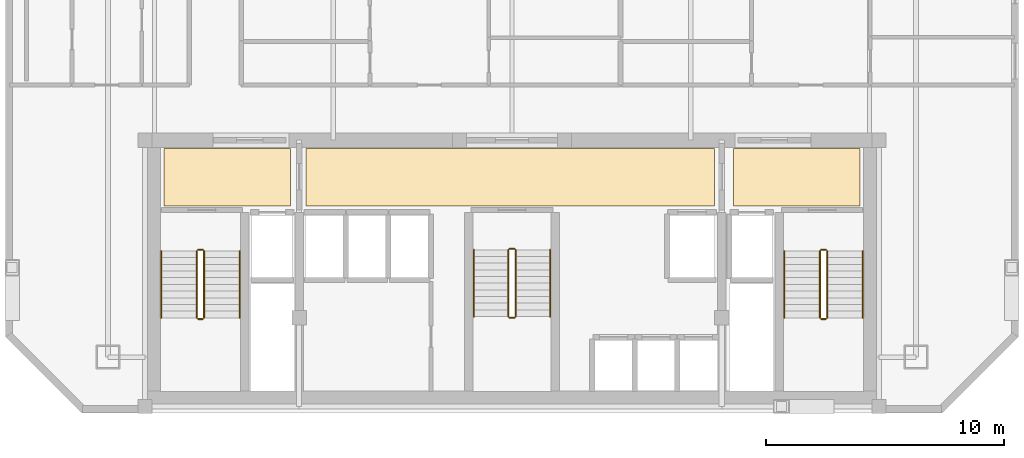
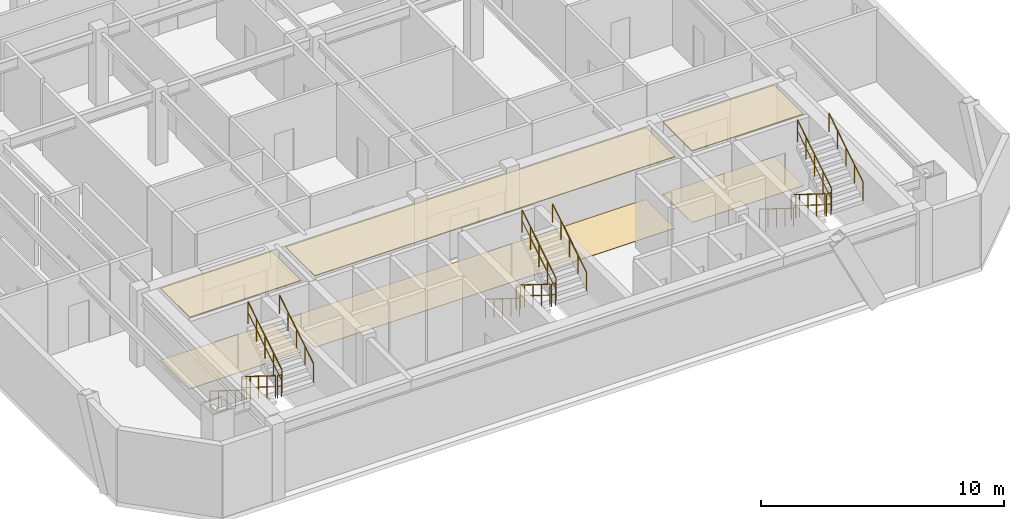
# One storey, part 7 of 7: 18 railings, 6 coverings.
"""IFC4 building model written with IfcOpenShell, lengths in metres."""

from ifc_helpers import new_model, si_unit, direction, frame, origin, origin_2d, place, context, subcontext, project, spatial, polyline, circle, outline, extrude, material, layer, layer_set, type_object, element, save


model = new_model("IFC4")

# Units and contexts
model_context = context("Model", 3, precision=1e-05, world=origin(), true_north=direction((0.0, 1.0)))
body_context = subcontext(model_context, "Body", "Model", "MODEL_VIEW")
ifc_project = project(units=[si_unit("LENGTHUNIT", "METRE"), si_unit("AREAUNIT", "SQUARE_METRE"), si_unit("VOLUMEUNIT", "CUBIC_METRE"), si_unit("PLANEANGLEUNIT", "RADIAN"), si_unit("MASSUNIT", "GRAM", prefix="KILO")], contexts=[model_context])

# Site, building, storey
site_placement = place(None, origin())
site = spatial("IfcSite", under=ifc_project, at=site_placement, CompositionType="ELEMENT")
building_placement = place(site_placement, origin())
building = spatial("IfcBuilding", under=site, at=building_placement, Name="Ventersveld Concourse Tower", CompositionType="ELEMENT")
storey_placement = place(building_placement, frame((0.0, 0.0, 223.39990234375)))
storey = spatial("IfcBuildingStorey", under=building, at=storey_placement, Name="L55", CompositionType="ELEMENT", Elevation=223.39990234375)

# Coverings
ifc_material_1 = material(Name="Mineral-fibre acoustic ceiling tile", Category="gypsum")
ifc_layer_1 = layer(ifc_material_1, 0.0400390625)
ifc_layer_set_1 = layer_set([ifc_layer_1], Name="Mineral-fibre acoustic ceiling tile")
covering_type_1 = type_object("IfcCoveringType", Name="COV-CEIL-ACOUSTIC", PredefinedType="CEILING", material=ifc_layer_set_1)
covering_1_placement = place(storey_placement, frame((0.0, 0.0, 3.590087890625)))
element("IfcCovering", 1, at=covering_1_placement, inside=storey, type_object=covering_type_1, Name="L55 North Lift Lobby Acoustic Ceiling", PredefinedType="CEILING", context=body_context, shape_type="SweptSolid", body=[
    extrude(outline(polyline([(20.10009765625, 8.699951171875), (37.25, 8.699951171875), (37.25, 11.10009765625), (20.10009765625, 11.10009765625), (20.10009765625, 8.699951171875)])), origin(), (0.0, 0.0, 1.0), 0.0400390625),
])
covering_2_placement = place(storey_placement, frame((0.0, 0.0, 3.590087890625)))
element("IfcCovering", 2, at=covering_2_placement, inside=storey, type_object=covering_type_1, Name="L55 West Firefighting Lobby Acoustic Ceiling", PredefinedType="CEILING", context=body_context, shape_type="SweptSolid", body=[
    extrude(outline(polyline([(14.14990234375, 8.699951171875), (19.449951171875, 8.699951171875), (19.449951171875, 11.10009765625), (14.14990234375, 11.10009765625), (14.14990234375, 8.699951171875)])), origin(), (0.0, 0.0, 1.0), 0.0400390625),
])
covering_3_placement = place(storey_placement, frame((0.0, 0.0, 3.590087890625)))
element("IfcCovering", 3, at=covering_3_placement, inside=storey, type_object=covering_type_1, Name="L55 East Firefighting Lobby Acoustic Ceiling", PredefinedType="CEILING", context=body_context, shape_type="SweptSolid", body=[
    extrude(outline(polyline([(38.050048828125, 8.699951171875), (43.35009765625, 8.699951171875), (43.35009765625, 11.10009765625), (38.050048828125, 11.10009765625), (38.050048828125, 8.699951171875)])), origin(), (0.0, 0.0, 1.0), 0.0400390625),
])
ifc_material_2 = material(Name="Polished Highveld granite terrazzo", Category="masonry")
ifc_layer_2 = layer(ifc_material_2, 0.02001953125)
ifc_layer_set_2 = layer_set([ifc_layer_2], Name="Polished Highveld granite terrazzo")
covering_type_2 = type_object("IfcCoveringType", Name="COV-FLOOR-TERRAZZO", PredefinedType="FLOORING", material=ifc_layer_set_2)
covering_4_placement = place(storey_placement, origin())
element("IfcCovering", 4, at=covering_4_placement, inside=storey, type_object=covering_type_2, Name="L55 North Lift Lobby Terrazzo Flooring", PredefinedType="FLOORING", context=body_context, shape_type="SweptSolid", body=[
    extrude(outline(polyline([(20.10009765625, 8.699951171875), (37.25, 8.699951171875), (37.25, 11.10009765625), (20.10009765625, 11.10009765625), (20.10009765625, 8.699951171875)])), origin(), (0.0, 0.0, 1.0), 0.02001953125),
])
covering_5_placement = place(storey_placement, origin())
element("IfcCovering", 5, at=covering_5_placement, inside=storey, type_object=covering_type_2, Name="L55 West Firefighting Lobby Terrazzo Flooring", PredefinedType="FLOORING", context=body_context, shape_type="SweptSolid", body=[
    extrude(outline(polyline([(14.14990234375, 8.699951171875), (19.449951171875, 8.699951171875), (19.449951171875, 11.10009765625), (14.14990234375, 11.10009765625), (14.14990234375, 8.699951171875)])), origin(), (0.0, 0.0, 1.0), 0.02001953125),
])
covering_6_placement = place(storey_placement, origin())
element("IfcCovering", 6, at=covering_6_placement, inside=storey, type_object=covering_type_2, Name="L55 East Firefighting Lobby Terrazzo Flooring", PredefinedType="FLOORING", context=body_context, shape_type="SweptSolid", body=[
    extrude(outline(polyline([(38.050048828125, 8.699951171875), (43.35009765625, 8.699951171875), (43.35009765625, 11.10009765625), (38.050048828125, 11.10009765625), (38.050048828125, 8.699951171875)])), origin(), (0.0, 0.0, 1.0), 0.02001953125),
])

# Railings
ifc_material_3 = material(Name="Brushed stainless steel 316", Category="steel")
railing_type_1 = type_object("IfcRailingType", Name="GD-BAL-115", PredefinedType="GUARDRAIL", material=ifc_material_3)
railing_1_placement = place(storey_placement, frame((15.530029296875, 6.800048828125, 0.175048828125)))
element("IfcRailing", 7, at=railing_1_placement, inside=storey, type_object=railing_type_1, Name="L55 ST-01 stair guard 1", PredefinedType="GUARDRAIL", context=body_context, shape_type="SweptSolid", body=[
    extrude(circle(Radius=0.02392578125, at=origin_2d()), frame((0.0, 0.0, 1.1259765625), z_axis=(0.0, -0.848002457836, 0.529992293815), x_axis=(1.0, 0.0, 0.0)), (0.0, 0.0, 1.0), 3.302001953125),
    extrude(circle(Radius=0.01611328125, at=origin_2d()), frame((0.0, 0.0, 0.574951171875), z_axis=(0.0, -0.848002457836, 0.529992293815), x_axis=(1.0, 0.0, 0.0)), (0.0, 0.0, 1.0), 3.302001953125),
    extrude(circle(Radius=0.02099609375, at=origin_2d()), origin(), (0.0, 0.0, 1.0), 1.101806640625),
    extrude(circle(Radius=0.02099609375, at=origin_2d()), frame((0.0, -0.699951171875, 0.4375)), (0.0, 0.0, 1.0), 1.101806640625),
    extrude(circle(Radius=0.02099609375, at=origin_2d()), frame((0.0, -1.39990234375, 0.875)), (0.0, 0.0, 1.0), 1.101806640625),
    extrude(circle(Radius=0.02099609375, at=origin_2d()), frame((0.0, -2.10009765625, 1.3125)), (0.0, 0.0, 1.0), 1.101806640625),
    extrude(circle(Radius=0.02099609375, at=origin_2d()), frame((0.0, -2.800048828125, 1.75)), (0.0, 0.0, 1.0), 1.101806640625),
])
railing_2_placement = place(storey_placement, frame((15.580078125, 3.949951171875, 1.925048828125)))
element("IfcRailing", 8, at=railing_2_placement, inside=storey, type_object=railing_type_1, Name="L55 ST-01 stair guard 2", PredefinedType="GUARDRAIL", context=body_context, shape_type="SweptSolid", body=[
    extrude(circle(Radius=0.02392578125, at=origin_2d()), frame((0.0, 0.0, 1.1259765625), z_axis=(1.0, 0.0, 0.0), x_axis=(0.0, 1.0, 0.0)), (0.0, 0.0, 1.0), 0.199951171875),
    extrude(circle(Radius=0.01611328125, at=origin_2d()), frame((0.0, 0.0, 0.574951171875), z_axis=(1.0, 0.0, 0.0), x_axis=(0.0, 1.0, 0.0)), (0.0, 0.0, 1.0), 0.199951171875),
    extrude(circle(Radius=0.02099609375, at=origin_2d()), origin(), (0.0, 0.0, 1.0), 1.101806640625),
    extrude(circle(Radius=0.02099609375, at=origin_2d()), frame((0.199951171875, 0.0, 0.0)), (0.0, 0.0, 1.0), 1.101806640625),
])
railing_3_placement = place(storey_placement, frame((15.830078125, 4.0, 2.10009765625)))
element("IfcRailing", 9, at=railing_3_placement, inside=storey, type_object=railing_type_1, Name="L55 ST-01 stair guard 3", PredefinedType="GUARDRAIL", context=body_context, shape_type="SweptSolid", body=[
    extrude(circle(Radius=0.02392578125, at=origin_2d()), frame((0.0, 0.0, 1.1259765625), z_axis=(0.0, 0.848002457836, 0.529992293815), x_axis=(-1.0, 0.0, 0.0)), (0.0, 0.0, 1.0), 3.302001953125),
    extrude(circle(Radius=0.01611328125, at=origin_2d()), frame((0.0, 0.0, 0.574951171875), z_axis=(0.0, 0.848002457836, 0.529992293815), x_axis=(-1.0, 0.0, 0.0)), (0.0, 0.0, 1.0), 3.302001953125),
    extrude(circle(Radius=0.02099609375, at=origin_2d()), origin(), (0.0, 0.0, 1.0), 1.101806640625),
    extrude(circle(Radius=0.02099609375, at=origin_2d()), frame((0.0, 0.699951171875, 0.4375)), (0.0, 0.0, 1.0), 1.101806640625),
    extrude(circle(Radius=0.02099609375, at=origin_2d()), frame((0.0, 1.39990234375, 0.875)), (0.0, 0.0, 1.0), 1.101806640625),
    extrude(circle(Radius=0.02099609375, at=origin_2d()), frame((0.0, 2.10009765625, 1.3125)), (0.0, 0.0, 1.0), 1.101806640625),
    extrude(circle(Radius=0.02099609375, at=origin_2d()), frame((0.0, 2.800048828125, 1.75)), (0.0, 0.0, 1.0), 1.101806640625),
])
railing_4_placement = place(storey_placement, frame((15.580078125, 6.85009765625, 0.0)))
element("IfcRailing", 10, at=railing_4_placement, inside=storey, type_object=railing_type_1, Name="L55 ST-01 stair guard 4", PredefinedType="GUARDRAIL", context=body_context, shape_type="SweptSolid", body=[
    extrude(circle(Radius=0.02392578125, at=origin_2d()), frame((0.0, 0.0, 1.1259765625), z_axis=(1.0, 0.0, 0.0), x_axis=(0.0, 1.0, 0.0)), (0.0, 0.0, 1.0), 0.199951171875),
    extrude(circle(Radius=0.01611328125, at=origin_2d()), frame((0.0, 0.0, 0.574951171875), z_axis=(1.0, 0.0, 0.0), x_axis=(0.0, 1.0, 0.0)), (0.0, 0.0, 1.0), 0.199951171875),
    extrude(circle(Radius=0.02099609375, at=origin_2d()), origin(), (0.0, 0.0, 1.0), 1.101806640625),
    extrude(circle(Radius=0.02099609375, at=origin_2d()), frame((0.199951171875, 0.0, 0.0)), (0.0, 0.0, 1.0), 1.101806640625),
])
railing_5_placement = place(storey_placement, frame((41.669921875, 6.800048828125, 0.175048828125)))
element("IfcRailing", 11, at=railing_5_placement, inside=storey, type_object=railing_type_1, Name="L55 ST-02 stair guard 1", PredefinedType="GUARDRAIL", context=body_context, shape_type="SweptSolid", body=[
    extrude(circle(Radius=0.02392578125, at=origin_2d()), frame((0.0, 0.0, 1.1259765625), z_axis=(0.0, -0.848002457836, 0.529992293815), x_axis=(1.0, 0.0, 0.0)), (0.0, 0.0, 1.0), 3.302001953125),
    extrude(circle(Radius=0.01611328125, at=origin_2d()), frame((0.0, 0.0, 0.574951171875), z_axis=(0.0, -0.848002457836, 0.529992293815), x_axis=(1.0, 0.0, 0.0)), (0.0, 0.0, 1.0), 3.302001953125),
    extrude(circle(Radius=0.02099609375, at=origin_2d()), origin(), (0.0, 0.0, 1.0), 1.101806640625),
    extrude(circle(Radius=0.02099609375, at=origin_2d()), frame((0.0, -0.699951171875, 0.4375)), (0.0, 0.0, 1.0), 1.101806640625),
    extrude(circle(Radius=0.02099609375, at=origin_2d()), frame((0.0, -1.39990234375, 0.875)), (0.0, 0.0, 1.0), 1.101806640625),
    extrude(circle(Radius=0.02099609375, at=origin_2d()), frame((0.0, -2.10009765625, 1.3125)), (0.0, 0.0, 1.0), 1.101806640625),
    extrude(circle(Radius=0.02099609375, at=origin_2d()), frame((0.0, -2.800048828125, 1.75)), (0.0, 0.0, 1.0), 1.101806640625),
])
railing_6_placement = place(storey_placement, frame((41.719970703125, 3.949951171875, 1.925048828125)))
element("IfcRailing", 12, at=railing_6_placement, inside=storey, type_object=railing_type_1, Name="L55 ST-02 stair guard 2", PredefinedType="GUARDRAIL", context=body_context, shape_type="SweptSolid", body=[
    extrude(circle(Radius=0.02392578125, at=origin_2d()), frame((0.0, 0.0, 1.1259765625), z_axis=(1.0, 0.0, 0.0), x_axis=(0.0, 1.0, 0.0)), (0.0, 0.0, 1.0), 0.199951171875),
    extrude(circle(Radius=0.01611328125, at=origin_2d()), frame((0.0, 0.0, 0.574951171875), z_axis=(1.0, 0.0, 0.0), x_axis=(0.0, 1.0, 0.0)), (0.0, 0.0, 1.0), 0.199951171875),
    extrude(circle(Radius=0.02099609375, at=origin_2d()), origin(), (0.0, 0.0, 1.0), 1.101806640625),
    extrude(circle(Radius=0.02099609375, at=origin_2d()), frame((0.199951171875, 0.0, 0.0)), (0.0, 0.0, 1.0), 1.101806640625),
])
railing_7_placement = place(storey_placement, frame((41.969970703125, 4.0, 2.10009765625)))
element("IfcRailing", 13, at=railing_7_placement, inside=storey, type_object=railing_type_1, Name="L55 ST-02 stair guard 3", PredefinedType="GUARDRAIL", context=body_context, shape_type="SweptSolid", body=[
    extrude(circle(Radius=0.02392578125, at=origin_2d()), frame((0.0, 0.0, 1.1259765625), z_axis=(0.0, 0.848002457836, 0.529992293815), x_axis=(-1.0, 0.0, 0.0)), (0.0, 0.0, 1.0), 3.302001953125),
    extrude(circle(Radius=0.01611328125, at=origin_2d()), frame((0.0, 0.0, 0.574951171875), z_axis=(0.0, 0.848002457836, 0.529992293815), x_axis=(-1.0, 0.0, 0.0)), (0.0, 0.0, 1.0), 3.302001953125),
    extrude(circle(Radius=0.02099609375, at=origin_2d()), origin(), (0.0, 0.0, 1.0), 1.101806640625),
    extrude(circle(Radius=0.02099609375, at=origin_2d()), frame((0.0, 0.699951171875, 0.4375)), (0.0, 0.0, 1.0), 1.101806640625),
    extrude(circle(Radius=0.02099609375, at=origin_2d()), frame((0.0, 1.39990234375, 0.875)), (0.0, 0.0, 1.0), 1.101806640625),
    extrude(circle(Radius=0.02099609375, at=origin_2d()), frame((0.0, 2.10009765625, 1.3125)), (0.0, 0.0, 1.0), 1.101806640625),
    extrude(circle(Radius=0.02099609375, at=origin_2d()), frame((0.0, 2.800048828125, 1.75)), (0.0, 0.0, 1.0), 1.101806640625),
])
railing_8_placement = place(storey_placement, frame((41.719970703125, 6.85009765625, 0.0)))
element("IfcRailing", 14, at=railing_8_placement, inside=storey, type_object=railing_type_1, Name="L55 ST-02 stair guard 4", PredefinedType="GUARDRAIL", context=body_context, shape_type="SweptSolid", body=[
    extrude(circle(Radius=0.02392578125, at=origin_2d()), frame((0.0, 0.0, 1.1259765625), z_axis=(1.0, 0.0, 0.0), x_axis=(0.0, 1.0, 0.0)), (0.0, 0.0, 1.0), 0.199951171875),
    extrude(circle(Radius=0.01611328125, at=origin_2d()), frame((0.0, 0.0, 0.574951171875), z_axis=(1.0, 0.0, 0.0), x_axis=(0.0, 1.0, 0.0)), (0.0, 0.0, 1.0), 0.199951171875),
    extrude(circle(Radius=0.02099609375, at=origin_2d()), origin(), (0.0, 0.0, 1.0), 1.101806640625),
    extrude(circle(Radius=0.02099609375, at=origin_2d()), frame((0.199951171875, 0.0, 0.0)), (0.0, 0.0, 1.0), 1.101806640625),
])
railing_9_placement = place(storey_placement, frame((28.60009765625, 6.85009765625, 0.175048828125)))
element("IfcRailing", 15, at=railing_9_placement, inside=storey, type_object=railing_type_1, Name="L55 ST-03 stair guard 1", PredefinedType="GUARDRAIL", context=body_context, shape_type="SweptSolid", body=[
    extrude(circle(Radius=0.02392578125, at=origin_2d()), frame((0.0, 0.0, 1.1259765625), z_axis=(0.0, -0.848002457836, 0.529992293815), x_axis=(1.0, 0.0, 0.0)), (0.0, 0.0, 1.0), 3.302001953125),
    extrude(circle(Radius=0.01611328125, at=origin_2d()), frame((0.0, 0.0, 0.574951171875), z_axis=(0.0, -0.848002457836, 0.529992293815), x_axis=(1.0, 0.0, 0.0)), (0.0, 0.0, 1.0), 3.302001953125),
    extrude(circle(Radius=0.02099609375, at=origin_2d()), origin(), (0.0, 0.0, 1.0), 1.101806640625),
    extrude(circle(Radius=0.02099609375, at=origin_2d()), frame((0.0, -0.699951171875, 0.4375)), (0.0, 0.0, 1.0), 1.101806640625),
    extrude(circle(Radius=0.02099609375, at=origin_2d()), frame((0.0, -1.39990234375, 0.875)), (0.0, 0.0, 1.0), 1.101806640625),
    extrude(circle(Radius=0.02099609375, at=origin_2d()), frame((0.0, -2.10009765625, 1.3125)), (0.0, 0.0, 1.0), 1.101806640625),
    extrude(circle(Radius=0.02099609375, at=origin_2d()), frame((0.0, -2.800048828125, 1.75)), (0.0, 0.0, 1.0), 1.101806640625),
])
railing_10_placement = place(storey_placement, frame((28.64990234375, 4.0, 1.925048828125)))
element("IfcRailing", 16, at=railing_10_placement, inside=storey, type_object=railing_type_1, Name="L55 ST-03 stair guard 2", PredefinedType="GUARDRAIL", context=body_context, shape_type="SweptSolid", body=[
    extrude(circle(Radius=0.02392578125, at=origin_2d()), frame((0.0, 0.0, 1.1259765625), z_axis=(1.0, 0.0, 0.0), x_axis=(0.0, 1.0, 0.0)), (0.0, 0.0, 1.0), 0.2001953125),
    extrude(circle(Radius=0.01611328125, at=origin_2d()), frame((0.0, 0.0, 0.574951171875), z_axis=(1.0, 0.0, 0.0), x_axis=(0.0, 1.0, 0.0)), (0.0, 0.0, 1.0), 0.2001953125),
    extrude(circle(Radius=0.02099609375, at=origin_2d()), origin(), (0.0, 0.0, 1.0), 1.101806640625),
    extrude(circle(Radius=0.02099609375, at=origin_2d()), frame((0.2001953125, 0.0, 0.0)), (0.0, 0.0, 1.0), 1.101806640625),
])
railing_11_placement = place(storey_placement, frame((28.89990234375, 4.050048828125, 2.10009765625)))
element("IfcRailing", 17, at=railing_11_placement, inside=storey, type_object=railing_type_1, Name="L55 ST-03 stair guard 3", PredefinedType="GUARDRAIL", context=body_context, shape_type="SweptSolid", body=[
    extrude(circle(Radius=0.02392578125, at=origin_2d()), frame((0.0, 0.0, 1.1259765625), z_axis=(0.0, 0.848002457836, 0.529992293815), x_axis=(-1.0, 0.0, 0.0)), (0.0, 0.0, 1.0), 3.302001953125),
    extrude(circle(Radius=0.01611328125, at=origin_2d()), frame((0.0, 0.0, 0.574951171875), z_axis=(0.0, 0.848002457836, 0.529992293815), x_axis=(-1.0, 0.0, 0.0)), (0.0, 0.0, 1.0), 3.302001953125),
    extrude(circle(Radius=0.02099609375, at=origin_2d()), origin(), (0.0, 0.0, 1.0), 1.101806640625),
    extrude(circle(Radius=0.02099609375, at=origin_2d()), frame((0.0, 0.699951171875, 0.4375)), (0.0, 0.0, 1.0), 1.101806640625),
    extrude(circle(Radius=0.02099609375, at=origin_2d()), frame((0.0, 1.39990234375, 0.875)), (0.0, 0.0, 1.0), 1.101806640625),
    extrude(circle(Radius=0.02099609375, at=origin_2d()), frame((0.0, 2.10009765625, 1.3125)), (0.0, 0.0, 1.0), 1.101806640625),
    extrude(circle(Radius=0.02099609375, at=origin_2d()), frame((0.0, 2.800048828125, 1.75)), (0.0, 0.0, 1.0), 1.101806640625),
])
railing_12_placement = place(storey_placement, frame((28.64990234375, 6.89990234375, 0.0)))
element("IfcRailing", 18, at=railing_12_placement, inside=storey, type_object=railing_type_1, Name="L55 ST-03 stair guard 4", PredefinedType="GUARDRAIL", context=body_context, shape_type="SweptSolid", body=[
    extrude(circle(Radius=0.02392578125, at=origin_2d()), frame((0.0, 0.0, 1.1259765625), z_axis=(1.0, 0.0, 0.0), x_axis=(0.0, 1.0, 0.0)), (0.0, 0.0, 1.0), 0.2001953125),
    extrude(circle(Radius=0.01611328125, at=origin_2d()), frame((0.0, 0.0, 0.574951171875), z_axis=(1.0, 0.0, 0.0), x_axis=(0.0, 1.0, 0.0)), (0.0, 0.0, 1.0), 0.2001953125),
    extrude(circle(Radius=0.02099609375, at=origin_2d()), origin(), (0.0, 0.0, 1.0), 1.101806640625),
    extrude(circle(Radius=0.02099609375, at=origin_2d()), frame((0.2001953125, 0.0, 0.0)), (0.0, 0.0, 1.0), 1.101806640625),
])
railing_type_2 = type_object("IfcRailingType", Name="HR-RMP-095", PredefinedType="HANDRAIL", material=ifc_material_3)
railing_13_placement = place(storey_placement, frame((14.030029296875, 6.800048828125, 0.175048828125)))
element("IfcRailing", 19, at=railing_13_placement, inside=storey, type_object=railing_type_2, Name="L55 ST-01 stair handrail 1", PredefinedType="HANDRAIL", context=body_context, shape_type="SweptSolid", body=[
    extrude(circle(Radius=0.02392578125, at=origin_2d()), frame((0.0, 0.0, 0.92578125), z_axis=(0.0, -0.848002457836, 0.529992293815), x_axis=(1.0, 0.0, 0.0)), (0.0, 0.0, 1.0), 3.302001953125),
    extrude(circle(Radius=0.02099609375, at=origin_2d()), origin(), (0.0, 0.0, 1.0), 0.90185546875),
    extrude(circle(Radius=0.02099609375, at=origin_2d()), frame((0.0, -0.699951171875, 0.4375)), (0.0, 0.0, 1.0), 0.90185546875),
    extrude(circle(Radius=0.02099609375, at=origin_2d()), frame((0.0, -1.39990234375, 0.875)), (0.0, 0.0, 1.0), 0.90185546875),
    extrude(circle(Radius=0.02099609375, at=origin_2d()), frame((0.0, -2.10009765625, 1.3125)), (0.0, 0.0, 1.0), 0.90185546875),
    extrude(circle(Radius=0.02099609375, at=origin_2d()), frame((0.0, -2.800048828125, 1.75)), (0.0, 0.0, 1.0), 0.90185546875),
])
railing_14_placement = place(storey_placement, frame((17.330078125, 4.0, 2.10009765625)))
element("IfcRailing", 20, at=railing_14_placement, inside=storey, type_object=railing_type_2, Name="L55 ST-01 stair handrail 2", PredefinedType="HANDRAIL", context=body_context, shape_type="SweptSolid", body=[
    extrude(circle(Radius=0.02392578125, at=origin_2d()), frame((0.0, 0.0, 0.92578125), z_axis=(0.0, 0.848002457836, 0.529992293815), x_axis=(-1.0, 0.0, 0.0)), (0.0, 0.0, 1.0), 3.302001953125),
    extrude(circle(Radius=0.02099609375, at=origin_2d()), origin(), (0.0, 0.0, 1.0), 0.90185546875),
    extrude(circle(Radius=0.02099609375, at=origin_2d()), frame((0.0, 0.699951171875, 0.4375)), (0.0, 0.0, 1.0), 0.90185546875),
    extrude(circle(Radius=0.02099609375, at=origin_2d()), frame((0.0, 1.39990234375, 0.875)), (0.0, 0.0, 1.0), 0.90185546875),
    extrude(circle(Radius=0.02099609375, at=origin_2d()), frame((0.0, 2.10009765625, 1.3125)), (0.0, 0.0, 1.0), 0.90185546875),
    extrude(circle(Radius=0.02099609375, at=origin_2d()), frame((0.0, 2.800048828125, 1.75)), (0.0, 0.0, 1.0), 0.90185546875),
])
railing_15_placement = place(storey_placement, frame((40.169921875, 6.800048828125, 0.175048828125)))
element("IfcRailing", 21, at=railing_15_placement, inside=storey, type_object=railing_type_2, Name="L55 ST-02 stair handrail 1", PredefinedType="HANDRAIL", context=body_context, shape_type="SweptSolid", body=[
    extrude(circle(Radius=0.02392578125, at=origin_2d()), frame((0.0, 0.0, 0.92578125), z_axis=(0.0, -0.848002457836, 0.529992293815), x_axis=(1.0, 0.0, 0.0)), (0.0, 0.0, 1.0), 3.302001953125),
    extrude(circle(Radius=0.02099609375, at=origin_2d()), origin(), (0.0, 0.0, 1.0), 0.90185546875),
    extrude(circle(Radius=0.02099609375, at=origin_2d()), frame((0.0, -0.699951171875, 0.4375)), (0.0, 0.0, 1.0), 0.90185546875),
    extrude(circle(Radius=0.02099609375, at=origin_2d()), frame((0.0, -1.39990234375, 0.875)), (0.0, 0.0, 1.0), 0.90185546875),
    extrude(circle(Radius=0.02099609375, at=origin_2d()), frame((0.0, -2.10009765625, 1.3125)), (0.0, 0.0, 1.0), 0.90185546875),
    extrude(circle(Radius=0.02099609375, at=origin_2d()), frame((0.0, -2.800048828125, 1.75)), (0.0, 0.0, 1.0), 0.90185546875),
])
railing_16_placement = place(storey_placement, frame((43.469970703125, 4.0, 2.10009765625)))
element("IfcRailing", 22, at=railing_16_placement, inside=storey, type_object=railing_type_2, Name="L55 ST-02 stair handrail 2", PredefinedType="HANDRAIL", context=body_context, shape_type="SweptSolid", body=[
    extrude(circle(Radius=0.02392578125, at=origin_2d()), frame((0.0, 0.0, 0.92578125), z_axis=(0.0, 0.848002457836, 0.529992293815), x_axis=(-1.0, 0.0, 0.0)), (0.0, 0.0, 1.0), 3.302001953125),
    extrude(circle(Radius=0.02099609375, at=origin_2d()), origin(), (0.0, 0.0, 1.0), 0.90185546875),
    extrude(circle(Radius=0.02099609375, at=origin_2d()), frame((0.0, 0.699951171875, 0.4375)), (0.0, 0.0, 1.0), 0.90185546875),
    extrude(circle(Radius=0.02099609375, at=origin_2d()), frame((0.0, 1.39990234375, 0.875)), (0.0, 0.0, 1.0), 0.90185546875),
    extrude(circle(Radius=0.02099609375, at=origin_2d()), frame((0.0, 2.10009765625, 1.3125)), (0.0, 0.0, 1.0), 0.90185546875),
    extrude(circle(Radius=0.02099609375, at=origin_2d()), frame((0.0, 2.800048828125, 1.75)), (0.0, 0.0, 1.0), 0.90185546875),
])
railing_17_placement = place(storey_placement, frame((27.14990234375, 6.85009765625, 0.175048828125)))
element("IfcRailing", 23, at=railing_17_placement, inside=storey, type_object=railing_type_2, Name="L55 ST-03 stair handrail 1", PredefinedType="HANDRAIL", context=body_context, shape_type="SweptSolid", body=[
    extrude(circle(Radius=0.02392578125, at=origin_2d()), frame((0.0, 0.0, 0.92578125), z_axis=(0.0, -0.848002457836, 0.529992293815), x_axis=(1.0, 0.0, 0.0)), (0.0, 0.0, 1.0), 3.302001953125),
    extrude(circle(Radius=0.02099609375, at=origin_2d()), origin(), (0.0, 0.0, 1.0), 0.90185546875),
    extrude(circle(Radius=0.02099609375, at=origin_2d()), frame((0.0, -0.699951171875, 0.4375)), (0.0, 0.0, 1.0), 0.90185546875),
    extrude(circle(Radius=0.02099609375, at=origin_2d()), frame((0.0, -1.39990234375, 0.875)), (0.0, 0.0, 1.0), 0.90185546875),
    extrude(circle(Radius=0.02099609375, at=origin_2d()), frame((0.0, -2.10009765625, 1.3125)), (0.0, 0.0, 1.0), 0.90185546875),
    extrude(circle(Radius=0.02099609375, at=origin_2d()), frame((0.0, -2.800048828125, 1.75)), (0.0, 0.0, 1.0), 0.90185546875),
])
railing_18_placement = place(storey_placement, frame((30.35009765625, 4.050048828125, 2.10009765625)))
element("IfcRailing", 24, at=railing_18_placement, inside=storey, type_object=railing_type_2, Name="L55 ST-03 stair handrail 2", PredefinedType="HANDRAIL", context=body_context, shape_type="SweptSolid", body=[
    extrude(circle(Radius=0.02392578125, at=origin_2d()), frame((0.0, 0.0, 0.92578125), z_axis=(0.0, 0.848002457836, 0.529992293815), x_axis=(-1.0, 0.0, 0.0)), (0.0, 0.0, 1.0), 3.302001953125),
    extrude(circle(Radius=0.02099609375, at=origin_2d()), origin(), (0.0, 0.0, 1.0), 0.90185546875),
    extrude(circle(Radius=0.02099609375, at=origin_2d()), frame((0.0, 0.699951171875, 0.4375)), (0.0, 0.0, 1.0), 0.90185546875),
    extrude(circle(Radius=0.02099609375, at=origin_2d()), frame((0.0, 1.39990234375, 0.875)), (0.0, 0.0, 1.0), 0.90185546875),
    extrude(circle(Radius=0.02099609375, at=origin_2d()), frame((0.0, 2.10009765625, 1.3125)), (0.0, 0.0, 1.0), 0.90185546875),
    extrude(circle(Radius=0.02099609375, at=origin_2d()), frame((0.0, 2.800048828125, 1.75)), (0.0, 0.0, 1.0), 0.90185546875),
])

save(model, "model.ifc")
